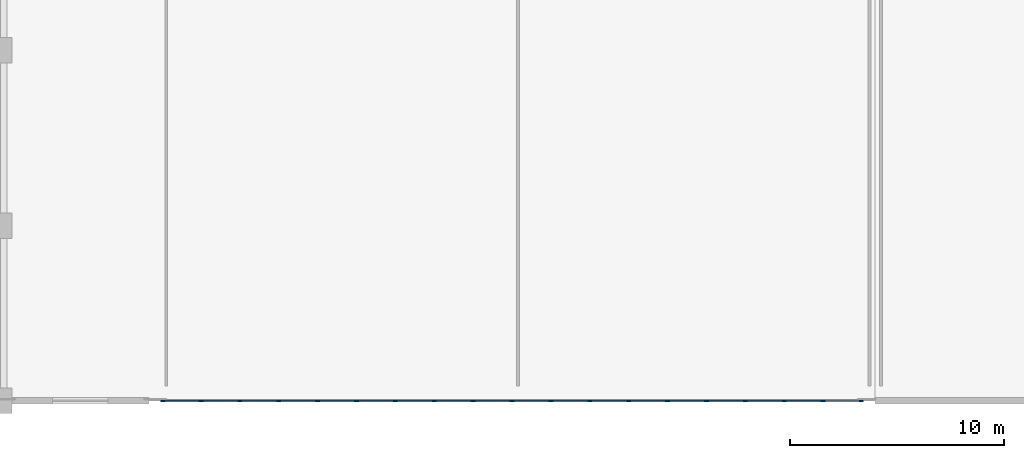
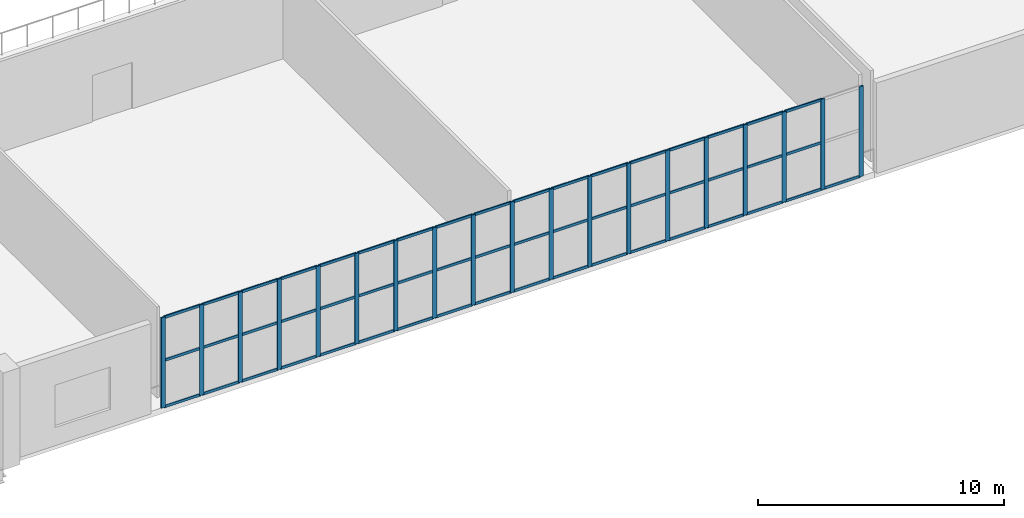
# One storey, part 21 of 104: 71 members, 1 element without a shape of its own.
"""IFC4 building model written with IfcOpenShell, lengths in metres."""

from ifc_helpers import new_model, si_unit, direction, frame, origin, origin_2d, place, context, subcontext, project, spatial, rectangle, extrude, material, material_profile, profile_set, type_object, element, aggregate, save


model = new_model("IFC4")

# Units and contexts
model_context = context("Model", 3, precision=1e-05, world=origin(), true_north=direction((0.0, 1.0)))
body_context = subcontext(model_context, "Body", "Model", "MODEL_VIEW")
ifc_project = project(units=[si_unit("LENGTHUNIT", "METRE"), si_unit("AREAUNIT", "SQUARE_METRE"), si_unit("VOLUMEUNIT", "CUBIC_METRE"), si_unit("PLANEANGLEUNIT", "RADIAN"), si_unit("MASSUNIT", "GRAM", prefix="KILO")], contexts=[model_context])

# Site, building, storey
site_placement = place(None, origin())
site = spatial("IfcSite", under=ifc_project, at=site_placement, CompositionType="ELEMENT")
building_placement = place(site_placement, origin())
building = spatial("IfcBuilding", under=site, at=building_placement, Name="Koshinbarg Plaza Stadium", CompositionType="ELEMENT")
storey_placement = place(building_placement, frame((0.0, 0.0, 19.800048828125)))
storey = spatial("IfcBuildingStorey", under=building, at=storey_placement, Name="L04", CompositionType="ELEMENT", Elevation=19.800048828125)

# Curtain wall, members
ifc_material_1 = material(Name="Thermally broken anodised aluminium and low-E double glazing", Category="aluminium")
curtain_wall_type = type_object("IfcCurtainWallType", Name="CW-SYS-12", PredefinedType="NOTDEFINED", material=ifc_material_1)
curtain_wall_placement = place(storey_placement, origin())
curtain_wall = element("IfcCurtainWall", 1, at=curtain_wall_placement, inside=storey, type_object=curtain_wall_type, Name="L04 unitised curtain wall CW-L04-107", PredefinedType="NOTDEFINED")
ifc_material_2 = material(Name="Anodised aluminium mullion", Category="aluminium")
ifc_material_profile_1 = material_profile(ifc_material_2, rectangle(XDim=0.070068359375, YDim=0.199951171875, at=origin_2d()), Name="ALU 70x200")
ifc_profile_set_1 = profile_set([ifc_material_profile_1], Name="Anodised aluminium mullion")
member_type_1 = type_object("IfcMemberType", Name="CW-MUL-04", PredefinedType="MULLION", material=ifc_profile_set_1)
member_1_placement = place(storey_placement, frame((121.35009765625, 0.0, 0.0), z_axis=(0.0, 0.0, 1.0), x_axis=(0.0, -1.0, 0.0)))
member_1 = element("IfcMember", 2, at=member_1_placement, type_object=member_type_1, Name="CW12 mullion 1", PredefinedType="MULLION", context=body_context, shape_type="SweptSolid", body=[
    extrude(rectangle(XDim=0.070068359375, YDim=0.199951171875, at=origin_2d()), origin(), (0.0, 0.0, 1.0), 4.47998046875),
])
member_2_placement = place(storey_placement, frame((119.56005859375, 0.0, 0.0), z_axis=(0.0, 0.0, 1.0), x_axis=(0.0, -1.0, 0.0)))
member_2 = element("IfcMember", 3, at=member_2_placement, type_object=member_type_1, Name="CW12 mullion 2", PredefinedType="MULLION", context=body_context, shape_type="SweptSolid", body=[
    extrude(rectangle(XDim=0.070068359375, YDim=0.199951171875, at=origin_2d()), origin(), (0.0, 0.0, 1.0), 4.47998046875),
])
member_3_placement = place(storey_placement, frame((117.739990234375, 0.0, 0.0), z_axis=(0.0, 0.0, 1.0), x_axis=(0.0, -1.0, 0.0)))
member_3 = element("IfcMember", 4, at=member_3_placement, type_object=member_type_1, Name="CW12 mullion 3", PredefinedType="MULLION", context=body_context, shape_type="SweptSolid", body=[
    extrude(rectangle(XDim=0.070068359375, YDim=0.199951171875, at=origin_2d()), origin(), (0.0, 0.0, 1.0), 4.47998046875),
])
member_4_placement = place(storey_placement, frame((115.919921875, 0.0, 0.0), z_axis=(0.0, 0.0, 1.0), x_axis=(0.0, -1.0, 0.0)))
member_4 = element("IfcMember", 5, at=member_4_placement, type_object=member_type_1, Name="CW12 mullion 4", PredefinedType="MULLION", context=body_context, shape_type="SweptSolid", body=[
    extrude(rectangle(XDim=0.070068359375, YDim=0.199951171875, at=origin_2d()), origin(), (0.0, 0.0, 1.0), 4.47998046875),
])
member_5_placement = place(storey_placement, frame((114.10009765625, 0.0, 0.0), z_axis=(0.0, 0.0, 1.0), x_axis=(0.0, -1.0, 0.0)))
member_5 = element("IfcMember", 6, at=member_5_placement, type_object=member_type_1, Name="CW12 mullion 5", PredefinedType="MULLION", context=body_context, shape_type="SweptSolid", body=[
    extrude(rectangle(XDim=0.070068359375, YDim=0.199951171875, at=origin_2d()), origin(), (0.0, 0.0, 1.0), 4.47998046875),
])
member_6_placement = place(storey_placement, frame((112.280029296875, 0.0, 0.0), z_axis=(0.0, 0.0, 1.0), x_axis=(0.0, -1.0, 0.0)))
member_6 = element("IfcMember", 7, at=member_6_placement, type_object=member_type_1, Name="CW12 mullion 6", PredefinedType="MULLION", context=body_context, shape_type="SweptSolid", body=[
    extrude(rectangle(XDim=0.070068359375, YDim=0.199951171875, at=origin_2d()), origin(), (0.0, 0.0, 1.0), 4.47998046875),
])
member_7_placement = place(storey_placement, frame((110.4599609375, 0.0, 0.0), z_axis=(0.0, 0.0, 1.0), x_axis=(0.0, -1.0, 0.0)))
member_7 = element("IfcMember", 8, at=member_7_placement, type_object=member_type_1, Name="CW12 mullion 7", PredefinedType="MULLION", context=body_context, shape_type="SweptSolid", body=[
    extrude(rectangle(XDim=0.070068359375, YDim=0.199951171875, at=origin_2d()), origin(), (0.0, 0.0, 1.0), 4.47998046875),
])
member_8_placement = place(storey_placement, frame((108.639892578125, 0.0, 0.0), z_axis=(0.0, 0.0, 1.0), x_axis=(0.0, -1.0, 0.0)))
member_8 = element("IfcMember", 9, at=member_8_placement, type_object=member_type_1, Name="CW12 mullion 8", PredefinedType="MULLION", context=body_context, shape_type="SweptSolid", body=[
    extrude(rectangle(XDim=0.070068359375, YDim=0.199951171875, at=origin_2d()), origin(), (0.0, 0.0, 1.0), 4.47998046875),
])
member_9_placement = place(storey_placement, frame((106.820068359375, 0.0, 0.0), z_axis=(0.0, 0.0, 1.0), x_axis=(0.0, -1.0, 0.0)))
member_9 = element("IfcMember", 10, at=member_9_placement, type_object=member_type_1, Name="CW12 mullion 9", PredefinedType="MULLION", context=body_context, shape_type="SweptSolid", body=[
    extrude(rectangle(XDim=0.070068359375, YDim=0.199951171875, at=origin_2d()), origin(), (0.0, 0.0, 1.0), 4.47998046875),
])
member_10_placement = place(storey_placement, frame((105.0, 0.0, 0.0), z_axis=(0.0, 0.0, 1.0), x_axis=(0.0, -1.0, 0.0)))
member_10 = element("IfcMember", 11, at=member_10_placement, type_object=member_type_1, Name="CW12 mullion 10", PredefinedType="MULLION", context=body_context, shape_type="SweptSolid", body=[
    extrude(rectangle(XDim=0.070068359375, YDim=0.199951171875, at=origin_2d()), origin(), (0.0, 0.0, 1.0), 4.47998046875),
])
member_11_placement = place(storey_placement, frame((103.179931640625, 0.0, 0.0), z_axis=(0.0, 0.0, 1.0), x_axis=(0.0, -1.0, 0.0)))
member_11 = element("IfcMember", 12, at=member_11_placement, type_object=member_type_1, Name="CW12 mullion 11", PredefinedType="MULLION", context=body_context, shape_type="SweptSolid", body=[
    extrude(rectangle(XDim=0.070068359375, YDim=0.199951171875, at=origin_2d()), origin(), (0.0, 0.0, 1.0), 4.47998046875),
])
member_12_placement = place(storey_placement, frame((101.360107421875, 0.0, 0.0), z_axis=(0.0, 0.0, 1.0), x_axis=(0.0, -1.0, 0.0)))
member_12 = element("IfcMember", 13, at=member_12_placement, type_object=member_type_1, Name="CW12 mullion 12", PredefinedType="MULLION", context=body_context, shape_type="SweptSolid", body=[
    extrude(rectangle(XDim=0.070068359375, YDim=0.199951171875, at=origin_2d()), origin(), (0.0, 0.0, 1.0), 4.47998046875),
])
member_13_placement = place(storey_placement, frame((99.5400390625, 0.0, 0.0), z_axis=(0.0, 0.0, 1.0), x_axis=(0.0, -1.0, 0.0)))
member_13 = element("IfcMember", 14, at=member_13_placement, type_object=member_type_1, Name="CW12 mullion 13", PredefinedType="MULLION", context=body_context, shape_type="SweptSolid", body=[
    extrude(rectangle(XDim=0.070068359375, YDim=0.199951171875, at=origin_2d()), origin(), (0.0, 0.0, 1.0), 4.47998046875),
])
member_14_placement = place(storey_placement, frame((97.719970703125, 0.0, 0.0), z_axis=(0.0, 0.0, 1.0), x_axis=(0.0, -1.0, 0.0)))
member_14 = element("IfcMember", 15, at=member_14_placement, type_object=member_type_1, Name="CW12 mullion 14", PredefinedType="MULLION", context=body_context, shape_type="SweptSolid", body=[
    extrude(rectangle(XDim=0.070068359375, YDim=0.199951171875, at=origin_2d()), origin(), (0.0, 0.0, 1.0), 4.47998046875),
])
member_15_placement = place(storey_placement, frame((95.89990234375, 0.0, 0.0), z_axis=(0.0, 0.0, 1.0), x_axis=(0.0, -1.0, 0.0)))
member_15 = element("IfcMember", 16, at=member_15_placement, type_object=member_type_1, Name="CW12 mullion 15", PredefinedType="MULLION", context=body_context, shape_type="SweptSolid", body=[
    extrude(rectangle(XDim=0.070068359375, YDim=0.199951171875, at=origin_2d()), origin(), (0.0, 0.0, 1.0), 4.47998046875),
])
member_16_placement = place(storey_placement, frame((94.080078125, 0.0, 0.0), z_axis=(0.0, 0.0, 1.0), x_axis=(0.0, -1.0, 0.0)))
member_16 = element("IfcMember", 17, at=member_16_placement, type_object=member_type_1, Name="CW12 mullion 16", PredefinedType="MULLION", context=body_context, shape_type="SweptSolid", body=[
    extrude(rectangle(XDim=0.070068359375, YDim=0.199951171875, at=origin_2d()), origin(), (0.0, 0.0, 1.0), 4.47998046875),
])
member_17_placement = place(storey_placement, frame((92.260009765625, 0.0, 0.0), z_axis=(0.0, 0.0, 1.0), x_axis=(0.0, -1.0, 0.0)))
member_17 = element("IfcMember", 18, at=member_17_placement, type_object=member_type_1, Name="CW12 mullion 17", PredefinedType="MULLION", context=body_context, shape_type="SweptSolid", body=[
    extrude(rectangle(XDim=0.070068359375, YDim=0.199951171875, at=origin_2d()), origin(), (0.0, 0.0, 1.0), 4.47998046875),
])
member_18_placement = place(storey_placement, frame((90.43994140625, 0.0, 0.0), z_axis=(0.0, 0.0, 1.0), x_axis=(0.0, -1.0, 0.0)))
member_18 = element("IfcMember", 19, at=member_18_placement, type_object=member_type_1, Name="CW12 mullion 18", PredefinedType="MULLION", context=body_context, shape_type="SweptSolid", body=[
    extrude(rectangle(XDim=0.070068359375, YDim=0.199951171875, at=origin_2d()), origin(), (0.0, 0.0, 1.0), 4.47998046875),
])
member_19_placement = place(storey_placement, frame((88.64990234375, 0.0, 0.0), z_axis=(0.0, 0.0, 1.0), x_axis=(0.0, -1.0, 0.0)))
member_19 = element("IfcMember", 20, at=member_19_placement, type_object=member_type_1, Name="CW12 mullion 19", PredefinedType="MULLION", context=body_context, shape_type="SweptSolid", body=[
    extrude(rectangle(XDim=0.070068359375, YDim=0.199951171875, at=origin_2d()), origin(), (0.0, 0.0, 1.0), 4.47998046875),
])
ifc_material_3 = material(Name="Anodised aluminium transom", Category="aluminium")
ifc_material_profile_2 = material_profile(ifc_material_3, rectangle(XDim=0.06005859375, YDim=0.1298828125, at=origin_2d()), Name="ALU 60x130")
ifc_profile_set_2 = profile_set([ifc_material_profile_2], Name="Anodised aluminium transom")
member_type_2 = type_object("IfcMemberType", Name="CW-TRN-02", PredefinedType="USERDEFINED", material=ifc_profile_set_2)
member_20_placement = place(storey_placement, frame((121.320068359375, 0.0, 0.030029296875), z_axis=(-1.0, 0.0, 0.0), x_axis=(0.0, -1.0, 0.0)))
member_20 = element("IfcMember", 21, at=member_20_placement, type_object=member_type_2, Name="CW12 transom 1.1", ObjectType="TRANSOM", PredefinedType="USERDEFINED", context=body_context, shape_type="SweptSolid", body=[
    extrude(rectangle(XDim=0.06005859375, YDim=0.1298828125, at=origin_2d()), origin(), (0.0, 0.0, 1.0), 1.72998046875),
])
member_21_placement = place(storey_placement, frame((119.530029296875, 0.0, 0.030029296875), z_axis=(-1.0, 0.0, 0.0), x_axis=(0.0, -1.0, 0.0)))
member_21 = element("IfcMember", 22, at=member_21_placement, type_object=member_type_2, Name="CW12 transom 2.1", ObjectType="TRANSOM", PredefinedType="USERDEFINED", context=body_context, shape_type="SweptSolid", body=[
    extrude(rectangle(XDim=0.06005859375, YDim=0.1298828125, at=origin_2d()), origin(), (0.0, 0.0, 1.0), 1.760009765625),
])
member_22_placement = place(storey_placement, frame((119.530029296875, 0.0, 2.32958984375), z_axis=(-1.0, 0.0, 0.0), x_axis=(0.0, -1.0, 0.0)))
member_22 = element("IfcMember", 23, at=member_22_placement, type_object=member_type_2, Name="CW12 transom 2.2", ObjectType="TRANSOM", PredefinedType="USERDEFINED", context=body_context, shape_type="SweptSolid", body=[
    extrude(rectangle(XDim=0.06005859375, YDim=0.1298828125, at=origin_2d()), origin(), (0.0, 0.0, 1.0), 1.760009765625),
])
member_23_placement = place(storey_placement, frame((119.530029296875, 0.0, 4.449951171875), z_axis=(-1.0, 0.0, 0.0), x_axis=(0.0, -1.0, 0.0)))
member_23 = element("IfcMember", 24, at=member_23_placement, type_object=member_type_2, Name="CW12 transom 2.3", ObjectType="TRANSOM", PredefinedType="USERDEFINED", context=body_context, shape_type="SweptSolid", body=[
    extrude(rectangle(XDim=0.06005859375, YDim=0.1298828125, at=origin_2d()), origin(), (0.0, 0.0, 1.0), 1.760009765625),
])
member_24_placement = place(storey_placement, frame((117.7099609375, 0.0, 0.030029296875), z_axis=(-1.0, 0.0, 0.0), x_axis=(0.0, -1.0, 0.0)))
member_24 = element("IfcMember", 25, at=member_24_placement, type_object=member_type_2, Name="CW12 transom 3.1", ObjectType="TRANSOM", PredefinedType="USERDEFINED", context=body_context, shape_type="SweptSolid", body=[
    extrude(rectangle(XDim=0.06005859375, YDim=0.1298828125, at=origin_2d()), origin(), (0.0, 0.0, 1.0), 1.760009765625),
])
member_25_placement = place(storey_placement, frame((117.7099609375, 0.0, 2.32958984375), z_axis=(-1.0, 0.0, 0.0), x_axis=(0.0, -1.0, 0.0)))
member_25 = element("IfcMember", 26, at=member_25_placement, type_object=member_type_2, Name="CW12 transom 3.2", ObjectType="TRANSOM", PredefinedType="USERDEFINED", context=body_context, shape_type="SweptSolid", body=[
    extrude(rectangle(XDim=0.06005859375, YDim=0.1298828125, at=origin_2d()), origin(), (0.0, 0.0, 1.0), 1.760009765625),
])
member_26_placement = place(storey_placement, frame((117.7099609375, 0.0, 4.449951171875), z_axis=(-1.0, 0.0, 0.0), x_axis=(0.0, -1.0, 0.0)))
member_26 = element("IfcMember", 27, at=member_26_placement, type_object=member_type_2, Name="CW12 transom 3.3", ObjectType="TRANSOM", PredefinedType="USERDEFINED", context=body_context, shape_type="SweptSolid", body=[
    extrude(rectangle(XDim=0.06005859375, YDim=0.1298828125, at=origin_2d()), origin(), (0.0, 0.0, 1.0), 1.760009765625),
])
member_27_placement = place(storey_placement, frame((115.889892578125, 0.0, 0.030029296875), z_axis=(-1.0, 0.0, 0.0), x_axis=(0.0, -1.0, 0.0)))
member_27 = element("IfcMember", 28, at=member_27_placement, type_object=member_type_2, Name="CW12 transom 4.1", ObjectType="TRANSOM", PredefinedType="USERDEFINED", context=body_context, shape_type="SweptSolid", body=[
    extrude(rectangle(XDim=0.06005859375, YDim=0.1298828125, at=origin_2d()), origin(), (0.0, 0.0, 1.0), 1.760009765625),
])
member_28_placement = place(storey_placement, frame((115.889892578125, 0.0, 2.32958984375), z_axis=(-1.0, 0.0, 0.0), x_axis=(0.0, -1.0, 0.0)))
member_28 = element("IfcMember", 29, at=member_28_placement, type_object=member_type_2, Name="CW12 transom 4.2", ObjectType="TRANSOM", PredefinedType="USERDEFINED", context=body_context, shape_type="SweptSolid", body=[
    extrude(rectangle(XDim=0.06005859375, YDim=0.1298828125, at=origin_2d()), origin(), (0.0, 0.0, 1.0), 1.760009765625),
])
member_29_placement = place(storey_placement, frame((115.889892578125, 0.0, 4.449951171875), z_axis=(-1.0, 0.0, 0.0), x_axis=(0.0, -1.0, 0.0)))
member_29 = element("IfcMember", 30, at=member_29_placement, type_object=member_type_2, Name="CW12 transom 4.3", ObjectType="TRANSOM", PredefinedType="USERDEFINED", context=body_context, shape_type="SweptSolid", body=[
    extrude(rectangle(XDim=0.06005859375, YDim=0.1298828125, at=origin_2d()), origin(), (0.0, 0.0, 1.0), 1.760009765625),
])
member_30_placement = place(storey_placement, frame((114.070068359375, 0.0, 0.030029296875), z_axis=(-1.0, 0.0, 0.0), x_axis=(0.0, -1.0, 0.0)))
member_30 = element("IfcMember", 31, at=member_30_placement, type_object=member_type_2, Name="CW12 transom 5.1", ObjectType="TRANSOM", PredefinedType="USERDEFINED", context=body_context, shape_type="SweptSolid", body=[
    extrude(rectangle(XDim=0.06005859375, YDim=0.1298828125, at=origin_2d()), origin(), (0.0, 0.0, 1.0), 1.760009765625),
])
member_31_placement = place(storey_placement, frame((114.070068359375, 0.0, 2.32958984375), z_axis=(-1.0, 0.0, 0.0), x_axis=(0.0, -1.0, 0.0)))
member_31 = element("IfcMember", 32, at=member_31_placement, type_object=member_type_2, Name="CW12 transom 5.2", ObjectType="TRANSOM", PredefinedType="USERDEFINED", context=body_context, shape_type="SweptSolid", body=[
    extrude(rectangle(XDim=0.06005859375, YDim=0.1298828125, at=origin_2d()), origin(), (0.0, 0.0, 1.0), 1.760009765625),
])
member_32_placement = place(storey_placement, frame((114.070068359375, 0.0, 4.449951171875), z_axis=(-1.0, 0.0, 0.0), x_axis=(0.0, -1.0, 0.0)))
member_32 = element("IfcMember", 33, at=member_32_placement, type_object=member_type_2, Name="CW12 transom 5.3", ObjectType="TRANSOM", PredefinedType="USERDEFINED", context=body_context, shape_type="SweptSolid", body=[
    extrude(rectangle(XDim=0.06005859375, YDim=0.1298828125, at=origin_2d()), origin(), (0.0, 0.0, 1.0), 1.760009765625),
])
member_33_placement = place(storey_placement, frame((112.25, 0.0, 0.030029296875), z_axis=(-1.0, 0.0, 0.0), x_axis=(0.0, -1.0, 0.0)))
member_33 = element("IfcMember", 34, at=member_33_placement, type_object=member_type_2, Name="CW12 transom 6.1", ObjectType="TRANSOM", PredefinedType="USERDEFINED", context=body_context, shape_type="SweptSolid", body=[
    extrude(rectangle(XDim=0.06005859375, YDim=0.1298828125, at=origin_2d()), origin(), (0.0, 0.0, 1.0), 1.760009765625),
])
member_34_placement = place(storey_placement, frame((112.25, 0.0, 2.32958984375), z_axis=(-1.0, 0.0, 0.0), x_axis=(0.0, -1.0, 0.0)))
member_34 = element("IfcMember", 35, at=member_34_placement, type_object=member_type_2, Name="CW12 transom 6.2", ObjectType="TRANSOM", PredefinedType="USERDEFINED", context=body_context, shape_type="SweptSolid", body=[
    extrude(rectangle(XDim=0.06005859375, YDim=0.1298828125, at=origin_2d()), origin(), (0.0, 0.0, 1.0), 1.760009765625),
])
member_35_placement = place(storey_placement, frame((112.25, 0.0, 4.449951171875), z_axis=(-1.0, 0.0, 0.0), x_axis=(0.0, -1.0, 0.0)))
member_35 = element("IfcMember", 36, at=member_35_placement, type_object=member_type_2, Name="CW12 transom 6.3", ObjectType="TRANSOM", PredefinedType="USERDEFINED", context=body_context, shape_type="SweptSolid", body=[
    extrude(rectangle(XDim=0.06005859375, YDim=0.1298828125, at=origin_2d()), origin(), (0.0, 0.0, 1.0), 1.760009765625),
])
member_36_placement = place(storey_placement, frame((110.429931640625, 0.0, 0.030029296875), z_axis=(-1.0, 0.0, 0.0), x_axis=(0.0, -1.0, 0.0)))
member_36 = element("IfcMember", 37, at=member_36_placement, type_object=member_type_2, Name="CW12 transom 7.1", ObjectType="TRANSOM", PredefinedType="USERDEFINED", context=body_context, shape_type="SweptSolid", body=[
    extrude(rectangle(XDim=0.06005859375, YDim=0.1298828125, at=origin_2d()), origin(), (0.0, 0.0, 1.0), 1.760009765625),
])
member_37_placement = place(storey_placement, frame((110.429931640625, 0.0, 2.32958984375), z_axis=(-1.0, 0.0, 0.0), x_axis=(0.0, -1.0, 0.0)))
member_37 = element("IfcMember", 38, at=member_37_placement, type_object=member_type_2, Name="CW12 transom 7.2", ObjectType="TRANSOM", PredefinedType="USERDEFINED", context=body_context, shape_type="SweptSolid", body=[
    extrude(rectangle(XDim=0.06005859375, YDim=0.1298828125, at=origin_2d()), origin(), (0.0, 0.0, 1.0), 1.760009765625),
])
member_38_placement = place(storey_placement, frame((110.429931640625, 0.0, 4.449951171875), z_axis=(-1.0, 0.0, 0.0), x_axis=(0.0, -1.0, 0.0)))
member_38 = element("IfcMember", 39, at=member_38_placement, type_object=member_type_2, Name="CW12 transom 7.3", ObjectType="TRANSOM", PredefinedType="USERDEFINED", context=body_context, shape_type="SweptSolid", body=[
    extrude(rectangle(XDim=0.06005859375, YDim=0.1298828125, at=origin_2d()), origin(), (0.0, 0.0, 1.0), 1.760009765625),
])
member_39_placement = place(storey_placement, frame((108.610107421875, 0.0, 0.030029296875), z_axis=(-1.0, 0.0, 0.0), x_axis=(0.0, -1.0, 0.0)))
member_39 = element("IfcMember", 40, at=member_39_placement, type_object=member_type_2, Name="CW12 transom 8.1", ObjectType="TRANSOM", PredefinedType="USERDEFINED", context=body_context, shape_type="SweptSolid", body=[
    extrude(rectangle(XDim=0.06005859375, YDim=0.1298828125, at=origin_2d()), origin(), (0.0, 0.0, 1.0), 1.760009765625),
])
member_40_placement = place(storey_placement, frame((108.610107421875, 0.0, 2.32958984375), z_axis=(-1.0, 0.0, 0.0), x_axis=(0.0, -1.0, 0.0)))
member_40 = element("IfcMember", 41, at=member_40_placement, type_object=member_type_2, Name="CW12 transom 8.2", ObjectType="TRANSOM", PredefinedType="USERDEFINED", context=body_context, shape_type="SweptSolid", body=[
    extrude(rectangle(XDim=0.06005859375, YDim=0.1298828125, at=origin_2d()), origin(), (0.0, 0.0, 1.0), 1.760009765625),
])
member_41_placement = place(storey_placement, frame((108.610107421875, 0.0, 4.449951171875), z_axis=(-1.0, 0.0, 0.0), x_axis=(0.0, -1.0, 0.0)))
member_41 = element("IfcMember", 42, at=member_41_placement, type_object=member_type_2, Name="CW12 transom 8.3", ObjectType="TRANSOM", PredefinedType="USERDEFINED", context=body_context, shape_type="SweptSolid", body=[
    extrude(rectangle(XDim=0.06005859375, YDim=0.1298828125, at=origin_2d()), origin(), (0.0, 0.0, 1.0), 1.760009765625),
])
member_42_placement = place(storey_placement, frame((106.7900390625, 0.0, 0.030029296875), z_axis=(-1.0, 0.0, 0.0), x_axis=(0.0, -1.0, 0.0)))
member_42 = element("IfcMember", 43, at=member_42_placement, type_object=member_type_2, Name="CW12 transom 9.1", ObjectType="TRANSOM", PredefinedType="USERDEFINED", context=body_context, shape_type="SweptSolid", body=[
    extrude(rectangle(XDim=0.06005859375, YDim=0.1298828125, at=origin_2d()), origin(), (0.0, 0.0, 1.0), 1.760009765625),
])
member_43_placement = place(storey_placement, frame((106.7900390625, 0.0, 2.32958984375), z_axis=(-1.0, 0.0, 0.0), x_axis=(0.0, -1.0, 0.0)))
member_43 = element("IfcMember", 44, at=member_43_placement, type_object=member_type_2, Name="CW12 transom 9.2", ObjectType="TRANSOM", PredefinedType="USERDEFINED", context=body_context, shape_type="SweptSolid", body=[
    extrude(rectangle(XDim=0.06005859375, YDim=0.1298828125, at=origin_2d()), origin(), (0.0, 0.0, 1.0), 1.760009765625),
])
member_44_placement = place(storey_placement, frame((106.7900390625, 0.0, 4.449951171875), z_axis=(-1.0, 0.0, 0.0), x_axis=(0.0, -1.0, 0.0)))
member_44 = element("IfcMember", 45, at=member_44_placement, type_object=member_type_2, Name="CW12 transom 9.3", ObjectType="TRANSOM", PredefinedType="USERDEFINED", context=body_context, shape_type="SweptSolid", body=[
    extrude(rectangle(XDim=0.06005859375, YDim=0.1298828125, at=origin_2d()), origin(), (0.0, 0.0, 1.0), 1.760009765625),
])
member_45_placement = place(storey_placement, frame((104.969970703125, 0.0, 0.030029296875), z_axis=(-1.0, 0.0, 0.0), x_axis=(0.0, -1.0, 0.0)))
member_45 = element("IfcMember", 46, at=member_45_placement, type_object=member_type_2, Name="CW12 transom 10.1", ObjectType="TRANSOM", PredefinedType="USERDEFINED", context=body_context, shape_type="SweptSolid", body=[
    extrude(rectangle(XDim=0.06005859375, YDim=0.1298828125, at=origin_2d()), origin(), (0.0, 0.0, 1.0), 1.760009765625),
])
member_46_placement = place(storey_placement, frame((104.969970703125, 0.0, 2.32958984375), z_axis=(-1.0, 0.0, 0.0), x_axis=(0.0, -1.0, 0.0)))
member_46 = element("IfcMember", 47, at=member_46_placement, type_object=member_type_2, Name="CW12 transom 10.2", ObjectType="TRANSOM", PredefinedType="USERDEFINED", context=body_context, shape_type="SweptSolid", body=[
    extrude(rectangle(XDim=0.06005859375, YDim=0.1298828125, at=origin_2d()), origin(), (0.0, 0.0, 1.0), 1.760009765625),
])
member_47_placement = place(storey_placement, frame((104.969970703125, 0.0, 4.449951171875), z_axis=(-1.0, 0.0, 0.0), x_axis=(0.0, -1.0, 0.0)))
member_47 = element("IfcMember", 48, at=member_47_placement, type_object=member_type_2, Name="CW12 transom 10.3", ObjectType="TRANSOM", PredefinedType="USERDEFINED", context=body_context, shape_type="SweptSolid", body=[
    extrude(rectangle(XDim=0.06005859375, YDim=0.1298828125, at=origin_2d()), origin(), (0.0, 0.0, 1.0), 1.760009765625),
])
member_48_placement = place(storey_placement, frame((103.14990234375, 0.0, 0.030029296875), z_axis=(-1.0, 0.0, 0.0), x_axis=(0.0, -1.0, 0.0)))
member_48 = element("IfcMember", 49, at=member_48_placement, type_object=member_type_2, Name="CW12 transom 11.1", ObjectType="TRANSOM", PredefinedType="USERDEFINED", context=body_context, shape_type="SweptSolid", body=[
    extrude(rectangle(XDim=0.06005859375, YDim=0.1298828125, at=origin_2d()), origin(), (0.0, 0.0, 1.0), 1.760009765625),
])
member_49_placement = place(storey_placement, frame((103.14990234375, 0.0, 2.32958984375), z_axis=(-1.0, 0.0, 0.0), x_axis=(0.0, -1.0, 0.0)))
member_49 = element("IfcMember", 50, at=member_49_placement, type_object=member_type_2, Name="CW12 transom 11.2", ObjectType="TRANSOM", PredefinedType="USERDEFINED", context=body_context, shape_type="SweptSolid", body=[
    extrude(rectangle(XDim=0.06005859375, YDim=0.1298828125, at=origin_2d()), origin(), (0.0, 0.0, 1.0), 1.760009765625),
])
member_50_placement = place(storey_placement, frame((103.14990234375, 0.0, 4.449951171875), z_axis=(-1.0, 0.0, 0.0), x_axis=(0.0, -1.0, 0.0)))
member_50 = element("IfcMember", 51, at=member_50_placement, type_object=member_type_2, Name="CW12 transom 11.3", ObjectType="TRANSOM", PredefinedType="USERDEFINED", context=body_context, shape_type="SweptSolid", body=[
    extrude(rectangle(XDim=0.06005859375, YDim=0.1298828125, at=origin_2d()), origin(), (0.0, 0.0, 1.0), 1.760009765625),
])
member_51_placement = place(storey_placement, frame((101.330078125, 0.0, 0.030029296875), z_axis=(-1.0, 0.0, 0.0), x_axis=(0.0, -1.0, 0.0)))
member_51 = element("IfcMember", 52, at=member_51_placement, type_object=member_type_2, Name="CW12 transom 12.1", ObjectType="TRANSOM", PredefinedType="USERDEFINED", context=body_context, shape_type="SweptSolid", body=[
    extrude(rectangle(XDim=0.06005859375, YDim=0.1298828125, at=origin_2d()), origin(), (0.0, 0.0, 1.0), 1.760009765625),
])
member_52_placement = place(storey_placement, frame((101.330078125, 0.0, 2.32958984375), z_axis=(-1.0, 0.0, 0.0), x_axis=(0.0, -1.0, 0.0)))
member_52 = element("IfcMember", 53, at=member_52_placement, type_object=member_type_2, Name="CW12 transom 12.2", ObjectType="TRANSOM", PredefinedType="USERDEFINED", context=body_context, shape_type="SweptSolid", body=[
    extrude(rectangle(XDim=0.06005859375, YDim=0.1298828125, at=origin_2d()), origin(), (0.0, 0.0, 1.0), 1.760009765625),
])
member_53_placement = place(storey_placement, frame((101.330078125, 0.0, 4.449951171875), z_axis=(-1.0, 0.0, 0.0), x_axis=(0.0, -1.0, 0.0)))
member_53 = element("IfcMember", 54, at=member_53_placement, type_object=member_type_2, Name="CW12 transom 12.3", ObjectType="TRANSOM", PredefinedType="USERDEFINED", context=body_context, shape_type="SweptSolid", body=[
    extrude(rectangle(XDim=0.06005859375, YDim=0.1298828125, at=origin_2d()), origin(), (0.0, 0.0, 1.0), 1.760009765625),
])
member_54_placement = place(storey_placement, frame((99.510009765625, 0.0, 0.030029296875), z_axis=(-1.0, 0.0, 0.0), x_axis=(0.0, -1.0, 0.0)))
member_54 = element("IfcMember", 55, at=member_54_placement, type_object=member_type_2, Name="CW12 transom 13.1", ObjectType="TRANSOM", PredefinedType="USERDEFINED", context=body_context, shape_type="SweptSolid", body=[
    extrude(rectangle(XDim=0.06005859375, YDim=0.1298828125, at=origin_2d()), origin(), (0.0, 0.0, 1.0), 1.760009765625),
])
member_55_placement = place(storey_placement, frame((99.510009765625, 0.0, 2.32958984375), z_axis=(-1.0, 0.0, 0.0), x_axis=(0.0, -1.0, 0.0)))
member_55 = element("IfcMember", 56, at=member_55_placement, type_object=member_type_2, Name="CW12 transom 13.2", ObjectType="TRANSOM", PredefinedType="USERDEFINED", context=body_context, shape_type="SweptSolid", body=[
    extrude(rectangle(XDim=0.06005859375, YDim=0.1298828125, at=origin_2d()), origin(), (0.0, 0.0, 1.0), 1.760009765625),
])
member_56_placement = place(storey_placement, frame((99.510009765625, 0.0, 4.449951171875), z_axis=(-1.0, 0.0, 0.0), x_axis=(0.0, -1.0, 0.0)))
member_56 = element("IfcMember", 57, at=member_56_placement, type_object=member_type_2, Name="CW12 transom 13.3", ObjectType="TRANSOM", PredefinedType="USERDEFINED", context=body_context, shape_type="SweptSolid", body=[
    extrude(rectangle(XDim=0.06005859375, YDim=0.1298828125, at=origin_2d()), origin(), (0.0, 0.0, 1.0), 1.760009765625),
])
member_57_placement = place(storey_placement, frame((97.68994140625, 0.0, 0.030029296875), z_axis=(-1.0, 0.0, 0.0), x_axis=(0.0, -1.0, 0.0)))
member_57 = element("IfcMember", 58, at=member_57_placement, type_object=member_type_2, Name="CW12 transom 14.1", ObjectType="TRANSOM", PredefinedType="USERDEFINED", context=body_context, shape_type="SweptSolid", body=[
    extrude(rectangle(XDim=0.06005859375, YDim=0.1298828125, at=origin_2d()), origin(), (0.0, 0.0, 1.0), 1.760009765625),
])
member_58_placement = place(storey_placement, frame((97.68994140625, 0.0, 2.32958984375), z_axis=(-1.0, 0.0, 0.0), x_axis=(0.0, -1.0, 0.0)))
member_58 = element("IfcMember", 59, at=member_58_placement, type_object=member_type_2, Name="CW12 transom 14.2", ObjectType="TRANSOM", PredefinedType="USERDEFINED", context=body_context, shape_type="SweptSolid", body=[
    extrude(rectangle(XDim=0.06005859375, YDim=0.1298828125, at=origin_2d()), origin(), (0.0, 0.0, 1.0), 1.760009765625),
])
member_59_placement = place(storey_placement, frame((97.68994140625, 0.0, 4.449951171875), z_axis=(-1.0, 0.0, 0.0), x_axis=(0.0, -1.0, 0.0)))
member_59 = element("IfcMember", 60, at=member_59_placement, type_object=member_type_2, Name="CW12 transom 14.3", ObjectType="TRANSOM", PredefinedType="USERDEFINED", context=body_context, shape_type="SweptSolid", body=[
    extrude(rectangle(XDim=0.06005859375, YDim=0.1298828125, at=origin_2d()), origin(), (0.0, 0.0, 1.0), 1.760009765625),
])
member_60_placement = place(storey_placement, frame((95.8701171875, 0.0, 0.030029296875), z_axis=(-1.0, 0.0, 0.0), x_axis=(0.0, -1.0, 0.0)))
member_60 = element("IfcMember", 61, at=member_60_placement, type_object=member_type_2, Name="CW12 transom 15.1", ObjectType="TRANSOM", PredefinedType="USERDEFINED", context=body_context, shape_type="SweptSolid", body=[
    extrude(rectangle(XDim=0.06005859375, YDim=0.1298828125, at=origin_2d()), origin(), (0.0, 0.0, 1.0), 1.760009765625),
])
member_61_placement = place(storey_placement, frame((95.8701171875, 0.0, 2.32958984375), z_axis=(-1.0, 0.0, 0.0), x_axis=(0.0, -1.0, 0.0)))
member_61 = element("IfcMember", 62, at=member_61_placement, type_object=member_type_2, Name="CW12 transom 15.2", ObjectType="TRANSOM", PredefinedType="USERDEFINED", context=body_context, shape_type="SweptSolid", body=[
    extrude(rectangle(XDim=0.06005859375, YDim=0.1298828125, at=origin_2d()), origin(), (0.0, 0.0, 1.0), 1.760009765625),
])
member_62_placement = place(storey_placement, frame((95.8701171875, 0.0, 4.449951171875), z_axis=(-1.0, 0.0, 0.0), x_axis=(0.0, -1.0, 0.0)))
member_62 = element("IfcMember", 63, at=member_62_placement, type_object=member_type_2, Name="CW12 transom 15.3", ObjectType="TRANSOM", PredefinedType="USERDEFINED", context=body_context, shape_type="SweptSolid", body=[
    extrude(rectangle(XDim=0.06005859375, YDim=0.1298828125, at=origin_2d()), origin(), (0.0, 0.0, 1.0), 1.760009765625),
])
member_63_placement = place(storey_placement, frame((94.050048828125, 0.0, 0.030029296875), z_axis=(-1.0, 0.0, 0.0), x_axis=(0.0, -1.0, 0.0)))
member_63 = element("IfcMember", 64, at=member_63_placement, type_object=member_type_2, Name="CW12 transom 16.1", ObjectType="TRANSOM", PredefinedType="USERDEFINED", context=body_context, shape_type="SweptSolid", body=[
    extrude(rectangle(XDim=0.06005859375, YDim=0.1298828125, at=origin_2d()), origin(), (0.0, 0.0, 1.0), 1.760009765625),
])
member_64_placement = place(storey_placement, frame((94.050048828125, 0.0, 2.32958984375), z_axis=(-1.0, 0.0, 0.0), x_axis=(0.0, -1.0, 0.0)))
member_64 = element("IfcMember", 65, at=member_64_placement, type_object=member_type_2, Name="CW12 transom 16.2", ObjectType="TRANSOM", PredefinedType="USERDEFINED", context=body_context, shape_type="SweptSolid", body=[
    extrude(rectangle(XDim=0.06005859375, YDim=0.1298828125, at=origin_2d()), origin(), (0.0, 0.0, 1.0), 1.760009765625),
])
member_65_placement = place(storey_placement, frame((94.050048828125, 0.0, 4.449951171875), z_axis=(-1.0, 0.0, 0.0), x_axis=(0.0, -1.0, 0.0)))
member_65 = element("IfcMember", 66, at=member_65_placement, type_object=member_type_2, Name="CW12 transom 16.3", ObjectType="TRANSOM", PredefinedType="USERDEFINED", context=body_context, shape_type="SweptSolid", body=[
    extrude(rectangle(XDim=0.06005859375, YDim=0.1298828125, at=origin_2d()), origin(), (0.0, 0.0, 1.0), 1.760009765625),
])
member_66_placement = place(storey_placement, frame((92.22998046875, 0.0, 0.030029296875), z_axis=(-1.0, 0.0, 0.0), x_axis=(0.0, -1.0, 0.0)))
member_66 = element("IfcMember", 67, at=member_66_placement, type_object=member_type_2, Name="CW12 transom 17.1", ObjectType="TRANSOM", PredefinedType="USERDEFINED", context=body_context, shape_type="SweptSolid", body=[
    extrude(rectangle(XDim=0.06005859375, YDim=0.1298828125, at=origin_2d()), origin(), (0.0, 0.0, 1.0), 1.760009765625),
])
member_67_placement = place(storey_placement, frame((92.22998046875, 0.0, 2.32958984375), z_axis=(-1.0, 0.0, 0.0), x_axis=(0.0, -1.0, 0.0)))
member_67 = element("IfcMember", 68, at=member_67_placement, type_object=member_type_2, Name="CW12 transom 17.2", ObjectType="TRANSOM", PredefinedType="USERDEFINED", context=body_context, shape_type="SweptSolid", body=[
    extrude(rectangle(XDim=0.06005859375, YDim=0.1298828125, at=origin_2d()), origin(), (0.0, 0.0, 1.0), 1.760009765625),
])
member_68_placement = place(storey_placement, frame((92.22998046875, 0.0, 4.449951171875), z_axis=(-1.0, 0.0, 0.0), x_axis=(0.0, -1.0, 0.0)))
member_68 = element("IfcMember", 69, at=member_68_placement, type_object=member_type_2, Name="CW12 transom 17.3", ObjectType="TRANSOM", PredefinedType="USERDEFINED", context=body_context, shape_type="SweptSolid", body=[
    extrude(rectangle(XDim=0.06005859375, YDim=0.1298828125, at=origin_2d()), origin(), (0.0, 0.0, 1.0), 1.760009765625),
])
member_69_placement = place(storey_placement, frame((90.409912109375, 0.0, 0.030029296875), z_axis=(-1.0, 0.0, 0.0), x_axis=(0.0, -1.0, 0.0)))
member_69 = element("IfcMember", 70, at=member_69_placement, type_object=member_type_2, Name="CW12 transom 18.1", ObjectType="TRANSOM", PredefinedType="USERDEFINED", context=body_context, shape_type="SweptSolid", body=[
    extrude(rectangle(XDim=0.06005859375, YDim=0.1298828125, at=origin_2d()), origin(), (0.0, 0.0, 1.0), 1.72998046875),
])
member_70_placement = place(storey_placement, frame((90.409912109375, 0.0, 2.32958984375), z_axis=(-1.0, 0.0, 0.0), x_axis=(0.0, -1.0, 0.0)))
member_70 = element("IfcMember", 71, at=member_70_placement, type_object=member_type_2, Name="CW12 transom 18.2", ObjectType="TRANSOM", PredefinedType="USERDEFINED", context=body_context, shape_type="SweptSolid", body=[
    extrude(rectangle(XDim=0.06005859375, YDim=0.1298828125, at=origin_2d()), origin(), (0.0, 0.0, 1.0), 1.72998046875),
])
member_71_placement = place(storey_placement, frame((90.409912109375, 0.0, 4.449951171875), z_axis=(-1.0, 0.0, 0.0), x_axis=(0.0, -1.0, 0.0)))
member_71 = element("IfcMember", 72, at=member_71_placement, type_object=member_type_2, Name="CW12 transom 18.3", ObjectType="TRANSOM", PredefinedType="USERDEFINED", context=body_context, shape_type="SweptSolid", body=[
    extrude(rectangle(XDim=0.06005859375, YDim=0.1298828125, at=origin_2d()), origin(), (0.0, 0.0, 1.0), 1.72998046875),
])
aggregate(curtain_wall, [member_1, member_2, member_3, member_4, member_5, member_6, member_7, member_8, member_9, member_10, member_11, member_12, member_13, member_14, member_15, member_16, member_17, member_18, member_19, member_20, member_21, member_22, member_23, member_24, member_25, member_26, member_27, member_28, member_29, member_30, member_31, member_32, member_33, member_34, member_35, member_36, member_37, member_38, member_39, member_40, member_41, member_42, member_43, member_44, member_45, member_46, member_47, member_48, member_49, member_50, member_51, member_52, member_53, member_54, member_55, member_56, member_57, member_58, member_59, member_60, member_61, member_62, member_63, member_64, member_65, member_66, member_67, member_68, member_69, member_70, member_71])

save(model, "model.ifc")
